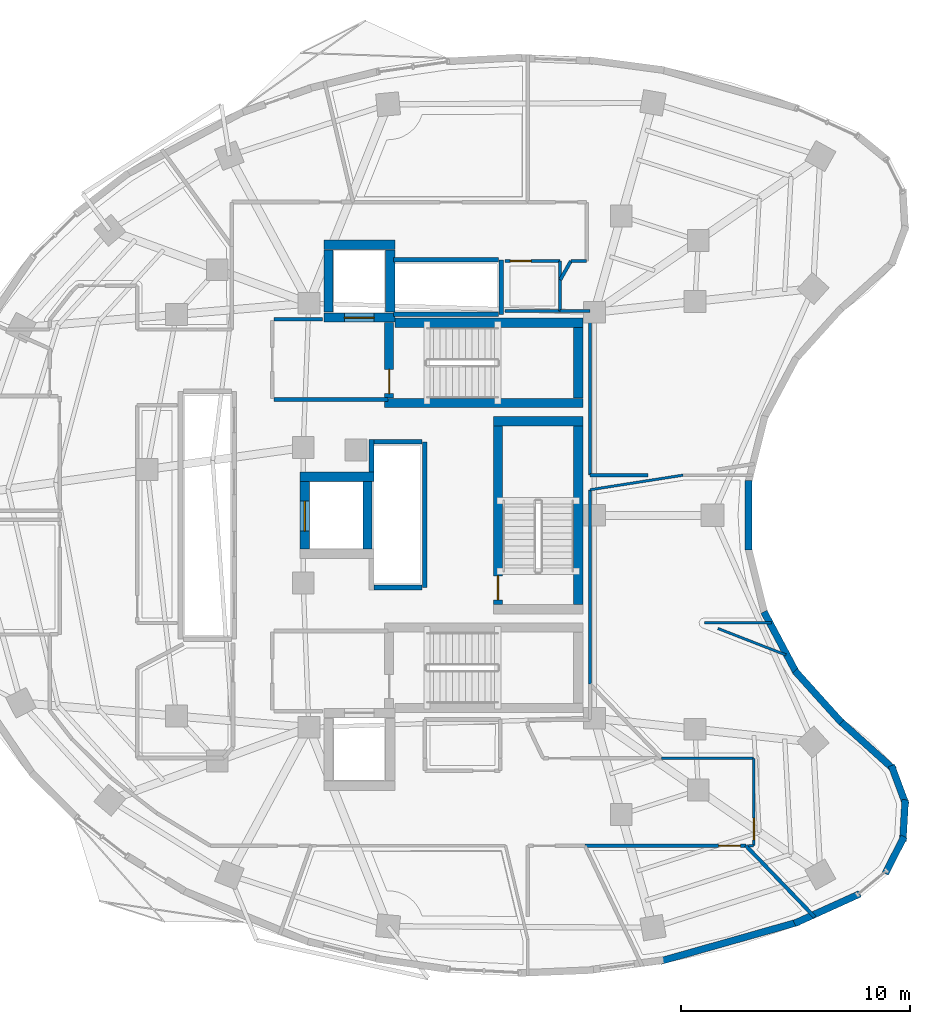
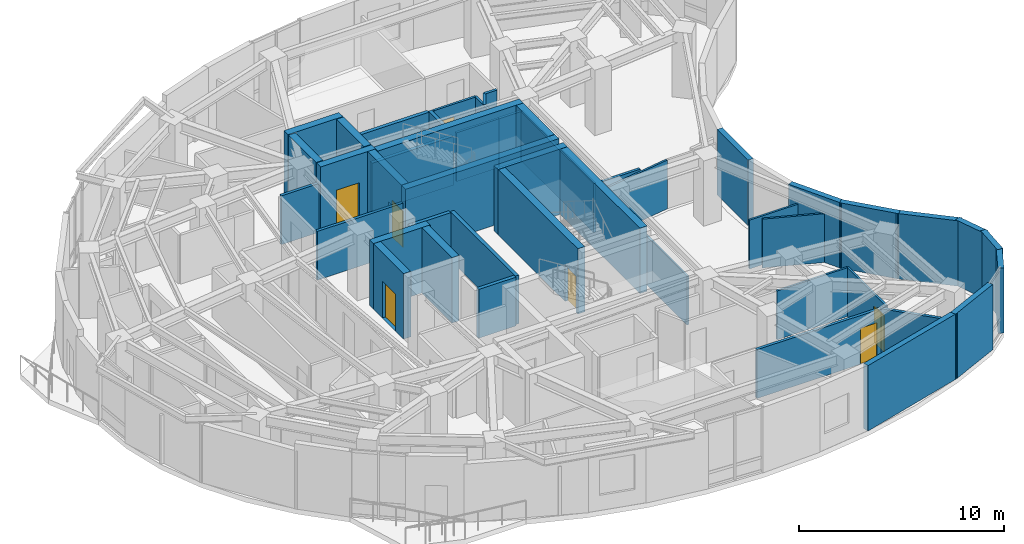
# One storey, part 9 of 13: 49 walls, 7 doors, 7 openings.
"""IFC4 building model written with IfcOpenShell, lengths in metres."""

from ifc_helpers import new_model, si_unit, direction, frame, frame_2d, origin, place, context, subcontext, project, spatial, rectangle, extrude, material, layer, layer_set, type_object, element, fill, save


model = new_model("IFC4")

# Units and contexts
model_context = context("Model", 3, precision=1e-05, world=origin(), true_north=direction((0.0, 1.0)))
body_context = subcontext(model_context, "Body", "Model", "MODEL_VIEW")
ifc_project = project(units=[si_unit("LENGTHUNIT", "METRE"), si_unit("AREAUNIT", "SQUARE_METRE"), si_unit("VOLUMEUNIT", "CUBIC_METRE"), si_unit("PLANEANGLEUNIT", "RADIAN"), si_unit("MASSUNIT", "GRAM", prefix="KILO")], contexts=[model_context])

# Site, building, storey
site_placement = place(None, origin())
site = spatial("IfcSite", under=ifc_project, at=site_placement, CompositionType="ELEMENT")
building_placement = place(site_placement, origin())
building = spatial("IfcBuilding", under=site, at=building_placement, Name="Korentha Bioscience Tower", CompositionType="ELEMENT")
storey_placement = place(building_placement, frame((0.0, 0.0, 204.60009765625)))
storey = spatial("IfcBuildingStorey", under=building, at=storey_placement, Name="L47", CompositionType="ELEMENT", Elevation=204.60009765625)

# Walls
ifc_material_1 = material(Name="Double-Stud Acoustic Gypsum", Category="gypsum")
ifc_layer_1 = layer(ifc_material_1, 0.14990234375, Name="Double-Stud Acoustic Gypsum")
ifc_layer_set_1 = layer_set([ifc_layer_1], Name="Double-Stud Acoustic Gypsum (IW-L150)")
wall_type_1 = type_object("IfcWallType", Name="Acoustic Laboratory Partition Wall 150", PredefinedType="PARTITIONING", material=ifc_layer_set_1)
wall_1_placement = place(storey_placement, frame((36.5263671875, 38.090087890625, 0.0), z_axis=(0.0, 0.0, 1.0), x_axis=(1.0, 0.0, 0.0)))
element("IfcWall", 1, at=wall_1_placement, inside=storey, type_object=wall_type_1, Name="L47 Interior Partition 062", PredefinedType="PARTITIONING", context=body_context, shape_type="SweptSolid", body=[
    extrude(rectangle(XDim=0.673583984375, YDim=0.14990234375, at=frame_2d((0.3369140625, 0.0))), origin(), (0.0, 0.0, 1.0), 2.909912109375),
])
wall_2_placement = place(storey_placement, frame((39.890869140625, 28.751953125, 0.0), z_axis=(0.0, 0.0, 1.0), x_axis=(-1.0, 0.0, 0.0)))
element("IfcWall", 2, at=wall_2_placement, inside=storey, type_object=wall_type_1, Name="L47 Interior Partition 066", PredefinedType="PARTITIONING", context=body_context, shape_type="SweptSolid", body=[
    extrude(rectangle(XDim=2.53076171875, YDim=0.14990234375, at=frame_2d((1.265380859375, 0.0))), origin(), (0.0, 0.0, 1.0), 2.909912109375),
])
wall_3_placement = place(storey_placement, frame((37.360107421875, 28.751953125, 0.0), z_axis=(0.0, 0.0, 1.0), x_axis=(0.0, 1.0, 0.0)))
element("IfcWall", 3, at=wall_3_placement, inside=storey, type_object=wall_type_1, Name="L47 Interior Partition 067", PredefinedType="PARTITIONING", context=body_context, shape_type="SweptSolid", body=[
    extrude(rectangle(XDim=7.14794921875, YDim=0.14990234375, at=frame_2d((3.573974609375, 0.0))), origin(), (0.0, 0.0, 1.0), 2.909912109375),
])
wall_4_placement = place(storey_placement, frame((37.35009765625, 35.909912109375, 0.0), z_axis=(0.0, 0.0, 1.0), x_axis=(-1.0, 0.0, 0.0)))
element("IfcWall", 4, at=wall_4_placement, inside=storey, type_object=wall_type_1, Name="L47 Interior Partition 068", PredefinedType="PARTITIONING", context=body_context, shape_type="SweptSolid", body=[
    extrude(rectangle(XDim=1.2900390625, YDim=0.14990234375, at=frame_2d((0.64501953125, 0.0))), origin(), (0.0, 0.0, 1.0), 2.909912109375),
])
wall_5_placement = place(storey_placement, frame((36.06005859375, 37.26416015625, 0.0), z_axis=(0.0, 0.0, 1.0), x_axis=(0.491641592744, 0.8707976483, 0.0)))
element("IfcWall", 5, at=wall_5_placement, inside=storey, type_object=wall_type_1, Name="L47 Interior Partition 069", PredefinedType="PARTITIONING", context=body_context, shape_type="SweptSolid", body=[
    extrude(rectangle(XDim=0.948486328125, YDim=0.14990234375, at=frame_2d((0.47412109375, 0.0))), origin(), (0.0, 0.0, 1.0), 2.909912109375),
])

# Wall, opening, door
ifc_material_2 = material(Name="Fire-Rated Framed Glass", Category="glass")
ifc_layer_2 = layer(ifc_material_2, 0.110107421875, Name="Fire-Rated Framed Glass")
ifc_layer_set_2 = layer_set([ifc_layer_2], Name="Fire-Rated Framed Glass (IW-G110)")
wall_type_2 = type_object("IfcWallType", Name="Demountable Glazed Office Partition 110", PredefinedType="MOVABLE", material=ifc_layer_set_2)
wall_6_placement = place(storey_placement, frame((44.510009765625, 12.60009765625, 0.0), z_axis=(0.0, 0.0, 1.0), x_axis=(0.0, 1.0, 0.0)))
wall_6 = element("IfcWall", 6, at=wall_6_placement, inside=storey, type_object=wall_type_2, Name="L47 Postdoctoral Fellows' Quiet Study 07 Entrance Wall", PredefinedType="MOVABLE", context=body_context, shape_type="SweptSolid", body=[
    extrude(rectangle(XDim=3.7998046875, YDim=0.110107421875, at=frame_2d((1.89990234375, 0.0))), origin(), (0.0, 0.0, 1.0), 2.909912109375),
])
opening_1_placement = place(wall_6_placement, frame((0.239990234375, 0.0, 0.0)))
opening_1 = element("IfcOpeningElement", 7, at=opening_1_placement, cuts=wall_6, Name="Opening ID-10R", PredefinedType="OPENING", context=body_context, shape_type="SweptSolid", body=[
    extrude(rectangle(XDim=0.949951171875, YDim=2.14990234375, at=frame_2d((0.47509765625, 1.074951171875))), frame((0.0, 0.06982421875, 0.0), z_axis=(0.0, -1.0, 0.0), x_axis=(1.0, 0.0, 0.0)), (0.0, 0.0, 1.0), 0.139892578125),
])
ifc_material_3 = material(Name="Phenolic Laminate Timber Core", Category="wood")
door_type_1 = type_object("IfcDoorType", Name="Laboratory Single Leaf Door 950x2150 Right", OperationType="SINGLE_SWING_RIGHT", PredefinedType="DOOR", material=ifc_material_3)
door_1_placement = place(opening_1_placement, origin())
door_1 = element("IfcDoor", 8, at=door_1_placement, inside=storey, type_object=door_type_1, Name="L47 Postdoctoral Fellows' Quiet Study 07 Door", OperationType="SINGLE_SWING_RIGHT", OverallHeight=2.14990234375, OverallWidth=0.949951171875, PredefinedType="DOOR", context=body_context, shape_type="SweptSolid", body=[
    extrude(rectangle(XDim=0.949951171875, YDim=2.14990234375, at=frame_2d((0.47509765625, 1.074951171875))), frame((0.0, 0.02490234375, 0.0), z_axis=(0.0, -1.0, 0.0), x_axis=(1.0, 0.0, 0.0)), (0.0, 0.0, 1.0), 0.050048828125),
])
fill(opening_1, door_1)

# Walls
wall_7_placement = place(storey_placement, frame((45.27783203125, 22.302001953125, 0.0), z_axis=(0.0, 0.0, 1.0), x_axis=(-1.0, 0.0, 0.0)))
element("IfcWall", 9, at=wall_7_placement, inside=storey, type_object=wall_type_2, Name="L47 Interior Partition 056", PredefinedType="MOVABLE", context=body_context, shape_type="SweptSolid", body=[
    extrude(rectangle(XDim=2.93408203125, YDim=0.110107421875, at=frame_2d((1.467041015625, 0.0))), origin(), (0.0, 0.0, 1.0), 2.909912109375),
])
wall_8_placement = place(storey_placement, frame((42.93896484375, 22.06201171875, 0.0), z_axis=(0.0, 0.0, 1.0), x_axis=(0.931857637411, -0.362824122129, 0.0)))
element("IfcWall", 10, at=wall_8_placement, inside=storey, type_object=wall_type_2, Name="L47 Interior Partition 057", PredefinedType="MOVABLE", context=body_context, shape_type="SweptSolid", body=[
    extrude(rectangle(XDim=3.18017578125, YDim=0.110107421875, at=frame_2d((1.590087890625, 0.0))), origin(), (0.0, 0.0, 1.0), 2.909912109375),
])
wall_9_placement = place(storey_placement, frame((44.271728515625, 12.590087890625, 0.0), z_axis=(0.0, 0.0, 1.0), x_axis=(1.0, 0.0, 0.0)))
element("IfcWall", 11, at=wall_9_placement, inside=storey, type_object=wall_type_2, Name="L47 Interior Partition 058", PredefinedType="MOVABLE", context=body_context, shape_type="SweptSolid", body=[
    extrude(rectangle(XDim=0.228271484375, YDim=0.110107421875, at=frame_2d((0.1142578125, 0.0))), origin(), (0.0, 0.0, 1.0), 2.909912109375),
])
wall_10_placement = place(storey_placement, frame((44.5, 16.409912109375, 0.0), z_axis=(0.0, 0.0, 1.0), x_axis=(-1.0, 0.0, 0.0)))
element("IfcWall", 12, at=wall_10_placement, inside=storey, type_object=wall_type_2, Name="L47 Interior Partition 059", PredefinedType="MOVABLE", context=body_context, shape_type="SweptSolid", body=[
    extrude(rectangle(XDim=4.017822265625, YDim=0.110107421875, at=frame_2d((2.0087890625, 0.0))), origin(), (0.0, 0.0, 1.0), 2.909912109375),
])
wall_11_placement = place(storey_placement, frame((37.360107421875, 19.64697265625, 0.0), z_axis=(0.0, 0.0, 1.0), x_axis=(0.0, 1.0, 0.0)))
element("IfcWall", 13, at=wall_11_placement, inside=storey, type_object=wall_type_2, Name="L47 Interior Partition 060", PredefinedType="MOVABLE", context=body_context, shape_type="SweptSolid", body=[
    extrude(rectangle(XDim=8.46484375, YDim=0.110107421875, at=frame_2d((4.232421875, 0.0))), origin(), (0.0, 0.0, 1.0), 2.909912109375),
])
wall_12_placement = place(storey_placement, frame((37.360107421875, 28.11181640625, 0.0), z_axis=(0.0, 0.0, 1.0), x_axis=(0.987904875431, 0.155061139877, 0.0)))
element("IfcWall", 14, at=wall_12_placement, inside=storey, type_object=wall_type_2, Name="L47 Interior Partition 061", PredefinedType="MOVABLE", context=body_context, shape_type="SweptSolid", body=[
    extrude(rectangle(XDim=4.10302734375, YDim=0.110107421875, at=frame_2d((2.051513671875, 0.0))), origin(), (0.0, 0.0, 1.0), 2.909912109375),
])
ifc_material_4 = material(Name="Gypsum-Clad Steel Stud", Category="steel")
ifc_layer_3 = layer(ifc_material_4, 0.159912109375, Name="Gypsum-Clad Steel Stud")
ifc_layer_set_3 = layer_set([ifc_layer_3], Name="Gypsum-Clad Steel Stud (IW-C160)")
wall_type_3 = type_object("IfcWallType", Name="Fire-Rated Corridor Partition Wall 160", PredefinedType="PARTITIONING", material=ifc_layer_set_3)
wall_13_placement = place(storey_placement, frame((23.580078125, 32.050048828125, 0.0), z_axis=(0.0, 0.0, 1.0), x_axis=(1.0, 0.0, 0.0)))
element("IfcWall", 15, at=wall_13_placement, inside=storey, type_object=wall_type_3, Name="L47 Firefighting Lobby Return Wall FFLN-S", PredefinedType="PARTITIONING", context=body_context, shape_type="SweptSolid", body=[
    extrude(rectangle(XDim=4.969970703125, YDim=0.159912109375, at=frame_2d((2.48486328125, 0.0))), origin(), (0.0, 0.0, 1.0), 2.909912109375),
])
wall_14_placement = place(storey_placement, frame((23.580078125, 35.550048828125, 0.0), z_axis=(0.0, 0.0, 1.0), x_axis=(1.0, 0.0, 0.0)))
element("IfcWall", 16, at=wall_14_placement, inside=storey, type_object=wall_type_3, Name="L47 Firefighting Lobby Return Wall FFLN-N", PredefinedType="PARTITIONING", context=body_context, shape_type="SweptSolid", body=[
    extrude(rectangle(XDim=2.119873046875, YDim=0.159912109375, at=frame_2d((1.06005859375, 0.0))), origin(), (0.0, 0.0, 1.0), 2.909912109375),
])

# Wall, opening, door
wall_15_placement = place(storey_placement, frame((37.143310546875, 12.590087890625, 0.0), z_axis=(0.0, 0.0, 1.0), x_axis=(1.0, 0.0, 0.0)))
wall_15 = element("IfcWall", 17, at=wall_15_placement, inside=storey, type_object=wall_type_3, Name="L47 Solvent and Chemical Weighing Room 05 Entrance Wall", PredefinedType="PARTITIONING", context=body_context, shape_type="SweptSolid", body=[
    extrude(rectangle(XDim=7.01318359375, YDim=0.159912109375, at=frame_2d((3.506591796875, 0.0))), origin(), (0.0, 0.0, 1.0), 2.909912109375),
])
opening_2_placement = place(wall_15_placement, frame((5.822998046875, 0.0, 0.0)))
opening_2 = element("IfcOpeningElement", 18, at=opening_2_placement, cuts=wall_15, Name="Opening ID-10R", PredefinedType="OPENING", context=body_context, shape_type="SweptSolid", body=[
    extrude(rectangle(XDim=0.949951171875, YDim=2.14990234375, at=frame_2d((0.47509765625, 1.074951171875))), frame((0.0, 0.0947265625, 0.0), z_axis=(0.0, -1.0, 0.0), x_axis=(1.0, 0.0, 0.0)), (0.0, 0.0, 1.0), 0.189697265625),
])
door_2_placement = place(opening_2_placement, origin())
door_2 = element("IfcDoor", 19, at=door_2_placement, inside=storey, type_object=door_type_1, Name="L47 Solvent and Chemical Weighing Room 05 Door", OperationType="SINGLE_SWING_RIGHT", OverallHeight=2.14990234375, OverallWidth=0.949951171875, PredefinedType="DOOR", context=body_context, shape_type="SweptSolid", body=[
    extrude(rectangle(XDim=0.949951171875, YDim=2.14990234375, at=frame_2d((0.47509765625, 1.074951171875))), frame((0.0, 0.02490234375, 0.0), z_axis=(0.0, -1.0, 0.0), x_axis=(1.0, 0.0, 0.0)), (0.0, 0.0, 1.0), 0.050048828125),
])
fill(opening_2, door_2)

# Walls
wall_16_placement = place(storey_placement, frame((44.156494140625, 12.590087890625, 0.0), z_axis=(0.0, 0.0, 1.0), x_axis=(0.694194120351, -0.719787832121, 0.0)))
element("IfcWall", 20, at=wall_16_placement, inside=storey, type_object=wall_type_3, Name="L47 Interior Partition 049", PredefinedType="PARTITIONING", context=body_context, shape_type="SweptSolid", body=[
    extrude(rectangle(XDim=4.3212890625, YDim=0.159912109375, at=frame_2d((2.16064453125, 0.0))), origin(), (0.0, 0.0, 1.0), 2.909912109375),
])
ifc_material_5 = material(Name="Honed Limestone Precast Concrete C40", Category="masonry")
ifc_layer_4 = layer(ifc_material_5, 0.300048828125, Name="Honed Limestone Precast Concrete C40")
ifc_layer_set_4 = layer_set([ifc_layer_4], Name="Honed Limestone Precast Concrete C40 (EW-ST300)")
wall_type_4 = type_object("IfcWallType", Name="Honed Limestone Cavity Spandrel Wall 300", PredefinedType="STANDARD", material=ifc_layer_set_4)
wall_17_placement = place(storey_placement, frame((40.41162109375, 7.547607421875, 0.0), z_axis=(0.0, 0.0, 1.0), x_axis=(0.962117712706, 0.272634383189, 0.0)))
element("IfcWall", 21, at=wall_17_placement, inside=storey, type_object=wall_type_4, Name="L47 Limestone Perimeter Closure Wall 34", PredefinedType="STANDARD", context=body_context, shape_type="SweptSolid", body=[
    extrude(rectangle(XDim=6.275634765625, YDim=0.300048828125, at=frame_2d((3.1376953125, 0.0))), origin(), (0.0, 0.0, 1.0), 3.89990234375),
])
wall_18_placement = place(storey_placement, frame((46.280029296875, 9.196533203125, 0.0), z_axis=(0.0, 0.0, 1.0), x_axis=(0.910521310028, 0.413462143351, 0.0)))
element("IfcWall", 22, at=wall_18_placement, inside=storey, type_object=wall_type_4, Name="L47 Limestone Perimeter Closure Wall 36", PredefinedType="STANDARD", context=body_context, shape_type="SweptSolid", body=[
    extrude(rectangle(XDim=3.130615234375, YDim=0.300048828125, at=frame_2d((1.5654296875, 0.0))), origin(), (0.0, 0.0, 1.0), 3.89990234375),
])
wall_19_placement = place(storey_placement, frame((50.235595703125, 11.37060546875, 0.0), z_axis=(0.0, 0.0, 1.0), x_axis=(0.454139309712, 0.890930686066, 0.0)))
element("IfcWall", 23, at=wall_19_placement, inside=storey, type_object=wall_type_4, Name="L47 Limestone Perimeter Closure Wall 38", PredefinedType="STANDARD", context=body_context, shape_type="SweptSolid", body=[
    extrude(rectangle(XDim=1.8154296875, YDim=0.300048828125, at=frame_2d((0.90771484375, 0.0))), origin(), (0.0, 0.0, 1.0), 3.89990234375),
])
wall_20_placement = place(storey_placement, frame((51.00390625, 12.781494140625, 0.0), z_axis=(0.0, 0.0, 1.0), x_axis=(0.057436686529, 0.998349150869, 0.0)))
element("IfcWall", 24, at=wall_20_placement, inside=storey, type_object=wall_type_4, Name="L47 Limestone Perimeter Closure Wall 39", PredefinedType="STANDARD", context=body_context, shape_type="SweptSolid", body=[
    extrude(rectangle(XDim=1.81494140625, YDim=0.300048828125, at=frame_2d((0.907470703125, 0.0))), origin(), (0.0, 0.0, 1.0), 3.89990234375),
])
wall_21_placement = place(storey_placement, frame((51.139892578125, 14.3818359375, 0.0), z_axis=(0.0, 0.0, 1.0), x_axis=(-0.348882068324, 0.937166635344, 0.0)))
element("IfcWall", 25, at=wall_21_placement, inside=storey, type_object=wall_type_4, Name="L47 Limestone Perimeter Closure Wall 40", PredefinedType="STANDARD", context=body_context, shape_type="SweptSolid", body=[
    extrude(rectangle(XDim=1.815185546875, YDim=0.300048828125, at=frame_2d((0.90771484375, 0.0))), origin(), (0.0, 0.0, 1.0), 3.89990234375),
])
wall_22_placement = place(storey_placement, frame((50.63134765625, 15.8994140625, 0.0), z_axis=(0.0, 0.0, 1.0), x_axis=(-0.743417638904, 0.668827492083, 0.0)))
element("IfcWall", 26, at=wall_22_placement, inside=storey, type_object=wall_type_4, Name="L47 Limestone Perimeter Closure Wall 41", PredefinedType="STANDARD", context=body_context, shape_type="SweptSolid", body=[
    extrude(rectangle(XDim=3.24365234375, YDim=0.300048828125, at=frame_2d((1.621826171875, 0.0))), origin(), (0.0, 0.0, 1.0), 3.89990234375),
])
for number, where, z_axis, x_axis, name in (
    (27, (48.322509765625, 17.96630859375, 0.0), (0.0, 0.0, 1.0), (-0.669129534294, 0.743145790768, 0.0), "L47 Limestone Perimeter Closure Wall 43"),
    (28, (46.367919921875, 20.114501953125, 0.0), (0.0, 0.0, 1.0), (-0.469487277589, 0.88293923697, 0.0), "L47 Limestone Perimeter Closure Wall 45"),
):
    element("IfcWall", number, at=place(storey_placement, frame(where, z_axis=z_axis, x_axis=x_axis)), inside=storey, type_object=wall_type_4, Name=name, PredefinedType="STANDARD", context=body_context, shape_type="SweptSolid", body=[
        extrude(rectangle(XDim=3.028076171875, YDim=0.300048828125, at=frame_2d((1.51416015625, 0.0))), origin(), (0.0, 0.0, 1.0), 3.89990234375),
    ])
wall_23_placement = place(storey_placement, frame((44.273681640625, 25.486083984375, 0.0), z_axis=(0.0, 0.0, 1.0), x_axis=(0.0, 1.0, 0.0)))
element("IfcWall", 29, at=wall_23_placement, inside=storey, type_object=wall_type_4, Name="L47 Limestone Perimeter Closure Wall 49", PredefinedType="STANDARD", context=body_context, shape_type="SweptSolid", body=[
    extrude(rectangle(XDim=3.02783203125, YDim=0.300048828125, at=frame_2d((1.513916015625, 0.0))), origin(), (0.0, 0.0, 1.0), 3.89990234375),
])
ifc_material_6 = material(Name="Autoclaved Aerated Concrete Block C25", Category="concrete")
ifc_layer_5 = layer(ifc_material_6, 0.199951171875, Name="Autoclaved Aerated Concrete Block C25")
ifc_layer_set_5 = layer_set([ifc_layer_5], Name="Autoclaved Aerated Concrete Block C25 (IW-S200)")
wall_type_5 = type_object("IfcWallType", Name="Lift and Riser Shaft Enclosure Wall 200", PredefinedType="PARTITIONING", material=ifc_layer_set_5)
wall_24_placement = place(storey_placement, frame((27.830078125, 28.884033203125, 0.0), z_axis=(0.0, 0.0, 1.0), x_axis=(0.0, 1.0, 0.0)))
element("IfcWall", 30, at=wall_24_placement, inside=storey, type_object=wall_type_5, Name="L47 Lift Bank HIGH Shaft Wall -XN", PredefinedType="PARTITIONING", context=body_context, shape_type="SweptSolid", body=[
    extrude(rectangle(XDim=1.416015625, YDim=0.199951171875, at=frame_2d((0.7080078125, 0.0))), origin(), (0.0, 0.0, 1.0), 2.909912109375),
])
wall_25_placement = place(storey_placement, frame((30.14990234375, 23.85009765625, 0.0), z_axis=(0.0, 0.0, 1.0), x_axis=(0.0, 1.0, 0.0)))
element("IfcWall", 31, at=wall_25_placement, inside=storey, type_object=wall_type_5, Name="L47 Lift Bank HIGH Shaft Wall +X", PredefinedType="PARTITIONING", context=body_context, shape_type="SweptSolid", body=[
    extrude(rectangle(XDim=6.349853515625, YDim=0.199951171875, at=frame_2d((3.1748046875, 0.0))), origin(), (0.0, 0.0, 1.0), 2.909912109375),
])
for number, where, z_axis, x_axis, name in (
    (32, (27.93408203125, 23.85009765625, 0.0), (0.0, 0.0, 1.0), (1.0, 0.0, 0.0), "L47 Lift Bank HIGH Shaft Wall -Y"),
    (33, (27.93408203125, 30.199951171875, 0.0), (0.0, 0.0, 1.0), (1.0, 0.0, 0.0), "L47 Lift Bank HIGH Shaft Wall +Y"),
):
    element("IfcWall", number, at=place(storey_placement, frame(where, z_axis=z_axis, x_axis=x_axis)), inside=storey, type_object=wall_type_5, Name=name, PredefinedType="PARTITIONING", context=body_context, shape_type="SweptSolid", body=[
        extrude(rectangle(XDim=2.095947265625, YDim=0.199951171875, at=frame_2d((1.0478515625, 0.0))), origin(), (0.0, 0.0, 1.0), 2.909912109375),
    ])
wall_26_placement = place(storey_placement, frame((33.489990234375, 35.760009765625, 0.0), z_axis=(0.0, 0.0, 1.0), x_axis=(0.0, 1.0, 0.0)))
element("IfcWall", 34, at=wall_26_placement, inside=storey, type_object=wall_type_5, Name="L47 Lift Bank OBS Shaft Wall +X", PredefinedType="PARTITIONING", context=body_context, shape_type="SweptSolid", body=[
    extrude(rectangle(XDim=2.3798828125, YDim=0.199951171875, at=frame_2d((1.18994140625, 0.0))), origin(), (0.0, 0.0, 1.0), 2.909912109375),
])
for number, where, z_axis, x_axis, name in (
    (35, (28.800048828125, 35.760009765625, 0.0), (0.0, 0.0, 1.0), (1.0, 0.0, 0.0), "L47 Lift Bank OBS Shaft Wall -Y"),
    (36, (28.800048828125, 38.139892578125, 0.0), (0.0, 0.0, 1.0), (1.0, 0.0, 0.0), "L47 Lift Bank OBS Shaft Wall +Y"),
):
    element("IfcWall", number, at=place(storey_placement, frame(where, z_axis=z_axis, x_axis=x_axis)), inside=storey, type_object=wall_type_5, Name=name, PredefinedType="PARTITIONING", context=body_context, shape_type="SweptSolid", body=[
        extrude(rectangle(XDim=4.570068359375, YDim=0.199951171875, at=frame_2d((2.28515625, 0.0))), origin(), (0.0, 0.0, 1.0), 2.909912109375),
    ])
ifc_material_7 = material(Name="Concrete C65", Category="concrete")
ifc_layer_6 = layer(ifc_material_7, 0.39990234375, Name="Concrete C65")
ifc_layer_set_6 = layer_set([ifc_layer_6], Name="Concrete C65 (CW-C65)")
wall_type_6 = type_object("IfcWallType", Name="Mid-Rise Core Shear Wall 400", PredefinedType="SHEAR", material=ifc_layer_set_6)
wall_27_placement = place(storey_placement, frame((28.85205078125, 35.39990234375, 0.0), z_axis=(0.0, 0.0, 1.0), x_axis=(1.0, 0.0, 0.0)))
element("IfcWall", 37, at=wall_27_placement, inside=storey, type_object=wall_type_6, Name="L47 Core Shear Wall ST1-N", PredefinedType="SHEAR", context=body_context, shape_type="SweptSolid", body=[
    extrude(rectangle(XDim=8.197998046875, YDim=0.39990234375, at=frame_2d((4.09912109375, 0.0))), origin(), (0.0, 0.0, 1.0), 3.89990234375),
])
wall_28_placement = place(storey_placement, frame((28.39990234375, 31.89990234375, 0.0), z_axis=(0.0, 0.0, 1.0), x_axis=(1.0, 0.0, 0.0)))
element("IfcWall", 38, at=wall_28_placement, inside=storey, type_object=wall_type_6, Name="L47 Core Shear Wall ST1-S", PredefinedType="SHEAR", context=body_context, shape_type="SweptSolid", body=[
    extrude(rectangle(XDim=8.650146484375, YDim=0.39990234375, at=frame_2d((4.3251953125, 0.0))), origin(), (0.0, 0.0, 1.0), 3.89990234375),
])
wall_29_placement = place(storey_placement, frame((36.85009765625, 32.110107421875, 0.0), z_axis=(0.0, 0.0, 1.0), x_axis=(0.0, 1.0, 0.0)))
element("IfcWall", 39, at=wall_29_placement, inside=storey, type_object=wall_type_6, Name="L47 Core Shear Wall ST1-E", PredefinedType="SHEAR", context=body_context, shape_type="SweptSolid", body=[
    extrude(rectangle(XDim=3.079833984375, YDim=0.39990234375, at=frame_2d((1.5400390625, 0.0))), origin(), (0.0, 0.0, 1.0), 3.89990234375),
])

# Wall, opening, door
wall_30_placement = place(storey_placement, frame((28.60009765625, 32.110107421875, 0.0), z_axis=(0.0, 0.0, 1.0), x_axis=(0.0, 1.0, 0.0)))
wall_30 = element("IfcWall", 40, at=wall_30_placement, inside=storey, type_object=wall_type_6, Name="L47 Core Shear Wall ST1-W", PredefinedType="SHEAR", context=body_context, shape_type="SweptSolid", body=[
    extrude(rectangle(XDim=3.307861328125, YDim=0.39990234375, at=frame_2d((1.65380859375, 0.0))), origin(), (0.0, 0.0, 1.0), 3.89990234375),
])
opening_3_placement = place(wall_30_placement, frame((0.199951171875, 0.0, 0.0)))
opening_3 = element("IfcOpeningElement", 41, at=opening_3_placement, cuts=wall_30, Name="Opening FD-90R", PredefinedType="OPENING", context=body_context, shape_type="SweptSolid", body=[
    extrude(rectangle(XDim=1.050048828125, YDim=2.14990234375, at=frame_2d((0.52490234375, 1.074951171875))), frame((0.0, 0.21484375, 0.0), z_axis=(0.0, -1.0, 0.0), x_axis=(1.0, 0.0, 0.0)), (0.0, 0.0, 1.0), 0.4296875),
])
ifc_material_8 = material(Name="Powder-Coated Fire-Rated Steel", Category="steel")
door_type_2 = type_object("IfcDoorType", Name="Stairwell Fire Exit Door 1050x2150 Right", OperationType="SINGLE_SWING_RIGHT", PredefinedType="DOOR", material=ifc_material_8)
door_3_placement = place(opening_3_placement, origin())
door_3 = element("IfcDoor", 42, at=door_3_placement, inside=storey, type_object=door_type_2, Name="L47 ST-1 Fire Exit Stair Door", OperationType="SINGLE_SWING_RIGHT", OverallHeight=2.14990234375, OverallWidth=1.050048828125, PredefinedType="DOOR", context=body_context, shape_type="SweptSolid", body=[
    extrude(rectangle(XDim=1.050048828125, YDim=2.14990234375, at=frame_2d((0.52490234375, 1.074951171875))), frame((0.0, 0.02490234375, 0.0), z_axis=(0.0, -1.0, 0.0), x_axis=(1.0, 0.0, 0.0)), (0.0, 0.0, 1.0), 0.050048828125),
])
fill(opening_3, door_3)

# Walls
wall_31_placement = place(storey_placement, frame((33.14990234375, 31.10009765625, 0.0), z_axis=(0.0, 0.0, 1.0), x_axis=(1.0, 0.0, 0.0)))
element("IfcWall", 43, at=wall_31_placement, inside=storey, type_object=wall_type_6, Name="L47 Core Shear Wall ST3-N", PredefinedType="SHEAR", context=body_context, shape_type="SweptSolid", body=[
    extrude(rectangle(XDim=3.900146484375, YDim=0.39990234375, at=frame_2d((1.9501953125, 0.0))), origin(), (0.0, 0.0, 1.0), 3.89990234375),
])
wall_32_placement = place(storey_placement, frame((36.85009765625, 23.110107421875, 0.0), z_axis=(0.0, 0.0, 1.0), x_axis=(0.0, 1.0, 0.0)))
element("IfcWall", 44, at=wall_32_placement, inside=storey, type_object=wall_type_6, Name="L47 Core Shear Wall ST3-E", PredefinedType="SHEAR", context=body_context, shape_type="SweptSolid", body=[
    extrude(rectangle(XDim=7.77978515625, YDim=0.39990234375, at=frame_2d((3.889892578125, 0.0))), origin(), (0.0, 0.0, 1.0), 3.89990234375),
])

# Wall, opening, door
wall_33_placement = place(storey_placement, frame((33.35009765625, 23.110107421875, 0.0), z_axis=(0.0, 0.0, 1.0), x_axis=(0.0, 1.0, 0.0)))
wall_33 = element("IfcWall", 45, at=wall_33_placement, inside=storey, type_object=wall_type_6, Name="L47 Core Shear Wall ST3-W", PredefinedType="SHEAR", context=body_context, shape_type="SweptSolid", body=[
    extrude(rectangle(XDim=7.77978515625, YDim=0.39990234375, at=frame_2d((3.889892578125, 0.0))), origin(), (0.0, 0.0, 1.0), 3.89990234375),
])
opening_4_placement = place(wall_33_placement, frame((0.199951171875, 0.0, 0.0)))
opening_4 = element("IfcOpeningElement", 46, at=opening_4_placement, cuts=wall_33, Name="Opening FD-90R", PredefinedType="OPENING", context=body_context, shape_type="SweptSolid", body=[
    extrude(rectangle(XDim=1.050048828125, YDim=2.14990234375, at=frame_2d((0.52490234375, 1.074951171875))), frame((0.0, 0.21484375, 0.0), z_axis=(0.0, -1.0, 0.0), x_axis=(1.0, 0.0, 0.0)), (0.0, 0.0, 1.0), 0.4296875),
])
door_4_placement = place(opening_4_placement, origin())
door_4 = element("IfcDoor", 47, at=door_4_placement, inside=storey, type_object=door_type_2, Name="L47 ST-3 Fire Exit Stair Door", OperationType="SINGLE_SWING_RIGHT", OverallHeight=2.14990234375, OverallWidth=1.050048828125, PredefinedType="DOOR", context=body_context, shape_type="SweptSolid", body=[
    extrude(rectangle(XDim=1.050048828125, YDim=2.14990234375, at=frame_2d((0.52490234375, 1.074951171875))), frame((0.0, 0.02490234375, 0.0), z_axis=(0.0, -1.0, 0.0), x_axis=(1.0, 0.0, 0.0)), (0.0, 0.0, 1.0), 0.050048828125),
])
fill(opening_4, door_4)

# Wall
wall_34_placement = place(storey_placement, frame((25.75, 38.800048828125, 0.0), z_axis=(0.0, 0.0, 1.0), x_axis=(1.0, 0.0, 0.0)))
element("IfcWall", 48, at=wall_34_placement, inside=storey, type_object=wall_type_6, Name="L47 Core Shear Wall FFL2-N", PredefinedType="SHEAR", context=body_context, shape_type="SweptSolid", body=[
    extrude(rectangle(XDim=3.10009765625, YDim=0.39990234375, at=frame_2d((1.550048828125, 0.0))), origin(), (0.0, 0.0, 1.0), 3.89990234375),
])

# Wall, opening, door
wall_35_placement = place(storey_placement, frame((25.75, 35.6201171875, 0.0), z_axis=(0.0, 0.0, 1.0), x_axis=(1.0, 0.0, 0.0)))
wall_35 = element("IfcWall", 49, at=wall_35_placement, inside=storey, type_object=wall_type_6, Name="L47 Core Shear Wall FFL2-S", PredefinedType="SHEAR", context=body_context, shape_type="SweptSolid", body=[
    extrude(rectangle(XDim=3.10009765625, YDim=0.39990234375, at=frame_2d((1.550048828125, 0.0))), origin(), (0.0, 0.0, 1.0), 3.89990234375),
])
opening_5_placement = place(wall_35_placement, frame((0.89990234375, 0.0, 0.0)))
opening_5 = element("IfcOpeningElement", 50, at=opening_5_placement, cuts=wall_35, Name="Opening LD-13", PredefinedType="OPENING", context=body_context, shape_type="SweptSolid", body=[
    extrude(rectangle(XDim=1.300048828125, YDim=2.199951171875, at=frame_2d((0.64990234375, 1.10009765625))), frame((0.0, 0.21484375, 0.0), z_axis=(0.0, -1.0, 0.0), x_axis=(1.0, 0.0, 0.0)), (0.0, 0.0, 1.0), 0.4296875),
])
ifc_material_9 = material(Name="Brushed Stainless Steel 316", Category="steel")
door_type_3 = type_object("IfcDoorType", Name="Service & Firefighting Lift Landing Door 1300x2300", OperationType="DOUBLE_DOOR_SLIDING", PredefinedType="DOOR", material=ifc_material_9)
door_5_placement = place(opening_5_placement, origin())
door_5 = element("IfcDoor", 51, at=door_5_placement, inside=storey, type_object=door_type_3, Name="L47 FFL-2 Sliding Lift Landing Door", OperationType="DOUBLE_DOOR_SLIDING", OverallHeight=2.199951171875, OverallWidth=1.300048828125, PredefinedType="DOOR", context=body_context, shape_type="SweptSolid", body=[
    extrude(rectangle(XDim=1.300048828125, YDim=2.199951171875, at=frame_2d((0.64990234375, 1.10009765625))), frame((0.0, 0.02490234375, 0.0), z_axis=(0.0, -1.0, 0.0), x_axis=(1.0, 0.0, 0.0)), (0.0, 0.0, 1.0), 0.050048828125),
])
fill(opening_5, door_5)

# Walls
for number, where, z_axis, x_axis, name in (
    (52, (25.949951171875, 35.860107421875, 0.0), (0.0, 0.0, 1.0), (0.0, 1.0, 0.0), "L47 Core Shear Wall FFL2-W"),
    (53, (28.64990234375, 35.860107421875, 0.0), (0.0, 0.0, 1.0), (0.0, 1.0, 0.0), "L47 Core Shear Wall FFL2-E"),
):
    element("IfcWall", number, at=place(storey_placement, frame(where, z_axis=z_axis, x_axis=x_axis)), inside=storey, type_object=wall_type_6, Name=name, PredefinedType="SHEAR", context=body_context, shape_type="SweptSolid", body=[
        extrude(rectangle(XDim=2.699951171875, YDim=0.39990234375, at=frame_2d((1.35009765625, 0.0))), origin(), (0.0, 0.0, 1.0), 3.89990234375),
    ])
wall_36_placement = place(storey_placement, frame((24.719970703125, 28.679931640625, 0.0), z_axis=(0.0, 0.0, 1.0), x_axis=(1.0, 0.0, 0.0)))
element("IfcWall", 54, at=wall_36_placement, inside=storey, type_object=wall_type_6, Name="L47 Core Shear Wall SVL1-N", PredefinedType="SHEAR", context=body_context, shape_type="SweptSolid", body=[
    extrude(rectangle(XDim=3.2099609375, YDim=0.39990234375, at=frame_2d((1.60498046875, 0.0))), origin(), (0.0, 0.0, 1.0), 3.89990234375),
])

# Wall, opening, door
wall_37_placement = place(storey_placement, frame((24.919921875, 25.52197265625, 0.0), z_axis=(0.0, 0.0, 1.0), x_axis=(0.0, 1.0, 0.0)))
wall_37 = element("IfcWall", 55, at=wall_37_placement, inside=storey, type_object=wall_type_6, Name="L47 Core Shear Wall SVL1-W", PredefinedType="SHEAR", context=body_context, shape_type="SweptSolid", body=[
    extrude(rectangle(XDim=2.9560546875, YDim=0.39990234375, at=frame_2d((1.47802734375, 0.0))), origin(), (0.0, 0.0, 1.0), 3.89990234375),
])
opening_6_placement = place(wall_37_placement, frame((0.7900390625, 0.0, 0.0)))
opening_6 = element("IfcOpeningElement", 56, at=opening_6_placement, cuts=wall_37, Name="Opening LD-13", PredefinedType="OPENING", context=body_context, shape_type="SweptSolid", body=[
    extrude(rectangle(XDim=1.300048828125, YDim=2.199951171875, at=frame_2d((0.64990234375, 1.10009765625))), frame((0.0, 0.21484375, 0.0), z_axis=(0.0, -1.0, 0.0), x_axis=(1.0, 0.0, 0.0)), (0.0, 0.0, 1.0), 0.4296875),
])
door_6_placement = place(opening_6_placement, origin())
door_6 = element("IfcDoor", 57, at=door_6_placement, inside=storey, type_object=door_type_3, Name="L47 SVL-1 Sliding Lift Landing Door", OperationType="DOUBLE_DOOR_SLIDING", OverallHeight=2.199951171875, OverallWidth=1.300048828125, PredefinedType="DOOR", context=body_context, shape_type="SweptSolid", body=[
    extrude(rectangle(XDim=1.300048828125, YDim=2.199951171875, at=frame_2d((0.64990234375, 1.10009765625))), frame((0.0, 0.02490234375, 0.0), z_axis=(0.0, -1.0, 0.0), x_axis=(1.0, 0.0, 0.0)), (0.0, 0.0, 1.0), 0.050048828125),
])
fill(opening_6, door_6)

# Wall
wall_38_placement = place(storey_placement, frame((27.64990234375, 25.52197265625, 0.0), z_axis=(0.0, 0.0, 1.0), x_axis=(0.0, 1.0, 0.0)))
element("IfcWall", 58, at=wall_38_placement, inside=storey, type_object=wall_type_6, Name="L47 Core Shear Wall SVL1-E", PredefinedType="SHEAR", context=body_context, shape_type="SweptSolid", body=[
    extrude(rectangle(XDim=2.9560546875, YDim=0.39990234375, at=frame_2d((1.47802734375, 0.0))), origin(), (0.0, 0.0, 1.0), 3.89990234375),
])

# Wall, opening, door
ifc_material_10 = material(Name="Cement-Board Steel Stud", Category="steel")
ifc_layer_7 = layer(ifc_material_10, 0.1298828125, Name="Cement-Board Steel Stud")
ifc_layer_set_7 = layer_set([ifc_layer_7], Name="Cement-Board Steel Stud (IW-W130)")
wall_type_7 = type_object("IfcWallType", Name="Wet-Area Moisture-Resistant Partition 130", PredefinedType="PARTITIONING", material=ifc_layer_set_7)
wall_39_placement = place(storey_placement, frame((33.64990234375, 38.090087890625, 0.0), z_axis=(0.0, 0.0, 1.0), x_axis=(1.0, 0.0, 0.0)))
wall_39 = element("IfcWall", 59, at=wall_39_placement, inside=storey, type_object=wall_type_7, Name="L47 Accessible Staff WC Entrance Wall", PredefinedType="PARTITIONING", context=body_context, shape_type="SweptSolid", body=[
    extrude(rectangle(XDim=2.400146484375, YDim=0.1298828125, at=frame_2d((1.2001953125, 0.0))), origin(), (0.0, 0.0, 1.0), 2.909912109375),
])
opening_7_placement = place(wall_39_placement, frame((0.239990234375, 0.0, 0.0)))
opening_7 = element("IfcOpeningElement", 60, at=opening_7_placement, cuts=wall_39, Name="Opening ID-09L", PredefinedType="OPENING", context=body_context, shape_type="SweptSolid", body=[
    extrude(rectangle(XDim=0.89990234375, YDim=2.14990234375, at=frame_2d((0.449951171875, 1.074951171875))), frame((0.0, 0.079833984375, 0.0), z_axis=(0.0, -1.0, 0.0), x_axis=(1.0, 0.0, 0.0)), (0.0, 0.0, 1.0), 0.15966796875),
])
ifc_material_11 = material(Name="Moisture-Resistant HPL Leaf", Category="wood")
door_type_4 = type_object("IfcDoorType", Name="Restroom & Accessible WC Door 900x2150 Left", OperationType="SINGLE_SWING_LEFT", PredefinedType="DOOR", material=ifc_material_11)
door_7_placement = place(opening_7_placement, origin())
door_7 = element("IfcDoor", 61, at=door_7_placement, inside=storey, type_object=door_type_4, Name="L47 Accessible Staff WC Door", OperationType="SINGLE_SWING_LEFT", OverallHeight=2.14990234375, OverallWidth=0.89990234375, PredefinedType="DOOR", context=body_context, shape_type="SweptSolid", body=[
    extrude(rectangle(XDim=0.89990234375, YDim=2.14990234375, at=frame_2d((0.449951171875, 1.074951171875))), frame((0.0, 0.02490234375, 0.0), z_axis=(0.0, -1.0, 0.0), x_axis=(1.0, 0.0, 0.0)), (0.0, 0.0, 1.0), 0.050048828125),
])
fill(opening_7, door_7)

# Walls
wall_40_placement = place(storey_placement, frame((36.050048828125, 35.909912109375, 0.0), z_axis=(0.0, 0.0, 1.0), x_axis=(-1.0, 0.0, 0.0)))
element("IfcWall", 62, at=wall_40_placement, inside=storey, type_object=wall_type_7, Name="L47 Interior Partition 023", PredefinedType="PARTITIONING", context=body_context, shape_type="SweptSolid", body=[
    extrude(rectangle(XDim=2.400146484375, YDim=0.1298828125, at=frame_2d((1.2001953125, 0.0))), origin(), (0.0, 0.0, 1.0), 2.909912109375),
])
wall_41_placement = place(storey_placement, frame((36.050048828125, 38.090087890625, 0.0), z_axis=(0.0, 0.0, 1.0), x_axis=(0.0, -1.0, 0.0)))
element("IfcWall", 63, at=wall_41_placement, inside=storey, type_object=wall_type_7, Name="L47 Interior Partition 024", PredefinedType="PARTITIONING", context=body_context, shape_type="SweptSolid", body=[
    extrude(rectangle(XDim=2.18017578125, YDim=0.1298828125, at=frame_2d((1.090087890625, 0.0))), origin(), (0.0, 0.0, 1.0), 2.909912109375),
])

save(model, "model.ifc")
